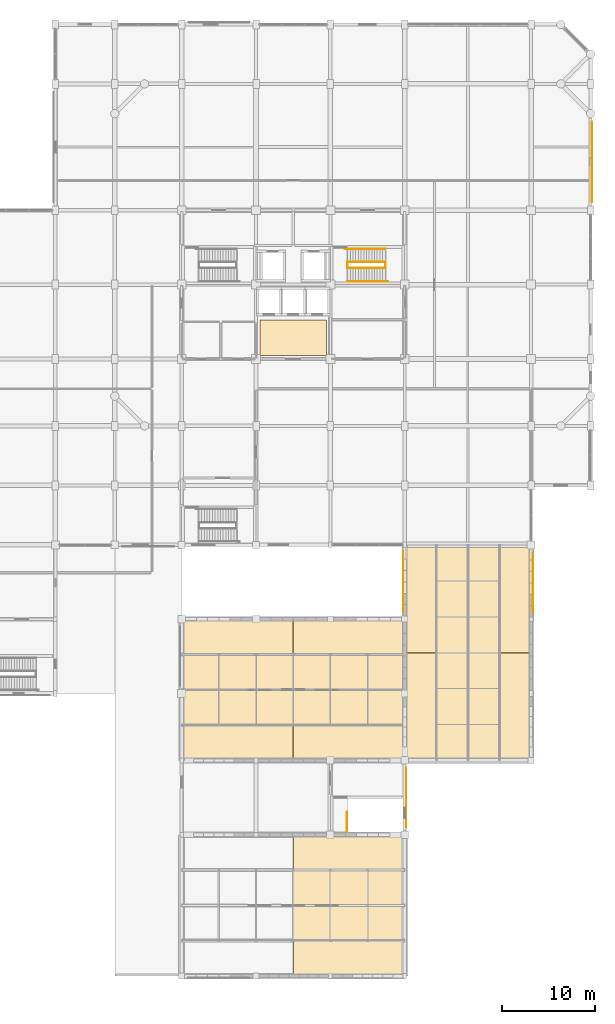
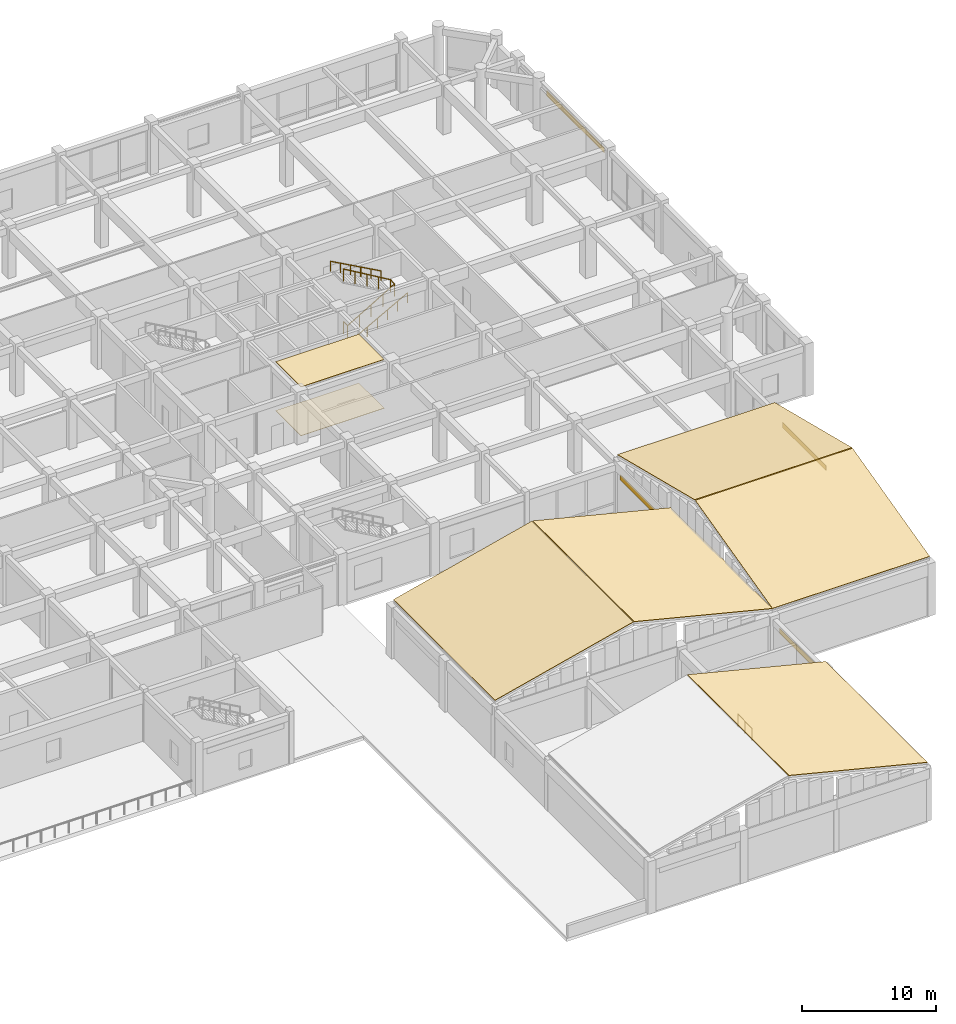
# One storey, part 61 of 61: 11 coverings, 5 railings.
"""IFC4 building model written with IfcOpenShell, lengths in metres."""

from ifc_helpers import new_model, si_unit, direction, frame, origin, origin_2d, place, context, subcontext, project, spatial, polyline, circle, outline, extrude, material, layer, layer_set, type_object, element, save


model = new_model("IFC4")

# Units and contexts
model_context = context("Model", 3, precision=1e-05, world=origin(), true_north=direction((0.0, 1.0)))
body_context = subcontext(model_context, "Body", "Model", "MODEL_VIEW")
ifc_project = project(units=[si_unit("LENGTHUNIT", "METRE"), si_unit("AREAUNIT", "SQUARE_METRE"), si_unit("VOLUMEUNIT", "CUBIC_METRE"), si_unit("PLANEANGLEUNIT", "RADIAN"), si_unit("MASSUNIT", "GRAM", prefix="KILO")], contexts=[model_context])

# Site, building, storey
site_placement = place(None, origin())
site = spatial("IfcSite", under=ifc_project, at=site_placement, CompositionType="ELEMENT")
building_placement = place(site_placement, origin())
building = spatial("IfcBuilding", under=site, at=building_placement, Name="Vellmiral Cinema and Media Centre", CompositionType="ELEMENT")
storey_placement = place(building_placement, frame((0.0, 0.0, 10.800048828125)))
storey = spatial("IfcBuildingStorey", under=building, at=storey_placement, Name="L02", CompositionType="ELEMENT", Elevation=10.800048828125)

# Coverings
ifc_material_1 = material(Name="Micro-Perforated Acoustic Gypsum Ceiling")
ifc_layer_1 = layer(ifc_material_1, 0.0400390625, Name="Micro-Perforated Acoustic Gypsum Ceiling")
ifc_layer_set_1 = layer_set([ifc_layer_1], Name="Micro-Perforated Acoustic Gypsum Ceiling")
covering_type_1 = type_object("IfcCoveringType", Name="COV-AC-CEILING", PredefinedType="CEILING", material=ifc_layer_set_1)
covering_1_placement = place(storey_placement, frame((0.0, 0.0, 4.4599609375)))
element("IfcCovering", 1, at=covering_1_placement, inside=storey, type_object=covering_type_1, Name="Acoustic Lobby Ceiling L02", PredefinedType="CEILING", context=body_context, shape_type="SweptSolid", body=[
    extrude(outline(polyline([(132.39990234375, 79.60009765625), (139.60009765625, 79.60009765625), (139.60009765625, 83.39990234375), (132.39990234375, 83.39990234375), (132.39990234375, 79.60009765625)])), origin(), (0.0, 0.0, 1.0), 0.0400390625),
])
ifc_material_2 = material(Name="Honed Terrazzo Acoustic Floor Finish")
ifc_layer_2 = layer(ifc_material_2, 0.030029296875, Name="Honed Terrazzo Acoustic Floor Finish")
ifc_layer_set_2 = layer_set([ifc_layer_2], Name="Honed Terrazzo Acoustic Floor Finish")
covering_type_2 = type_object("IfcCoveringType", Name="COV-TERR-FLOORING", PredefinedType="FLOORING", material=ifc_layer_set_2)
covering_2_placement = place(storey_placement, origin())
element("IfcCovering", 2, at=covering_2_placement, inside=storey, type_object=covering_type_2, Name="Terrazzo Lobby Flooring L02", PredefinedType="FLOORING", context=body_context, shape_type="SweptSolid", body=[
    extrude(outline(polyline([(132.39990234375, 79.60009765625), (139.60009765625, 79.60009765625), (139.60009765625, 83.39990234375), (132.39990234375, 83.39990234375), (132.39990234375, 79.60009765625)])), origin(), (0.0, 0.0, 1.0), 0.030029296875),
])
ifc_material_3 = material(Name="Polychrome Trencadis Ceramic Mosaic")
ifc_layer_3 = layer(ifc_material_3, 0.034912109375, Name="Polychrome Trencadis Ceramic Mosaic")
ifc_layer_set_3 = layer_set([ifc_layer_3], Name="Polychrome Trencadis Ceramic Mosaic")
covering_type_3 = type_object("IfcCoveringType", Name="COV-TRENCADIS-CLAD", PredefinedType="CLADDING", material=ifc_layer_set_3)
covering_3_placement = place(storey_placement, frame((0.0, 0.0, 3.3798828125)))
element("IfcCovering", 3, at=covering_3_placement, inside=storey, type_object=covering_type_3, Name="Trencadis Spandrel Mosaic L02-024", PredefinedType="CLADDING", context=body_context, shape_type="SweptSolid", body=[
    extrude(outline(polyline([(147.822021484375, 58.5), (147.822021484375, 51.925048828125), (147.85693359375, 51.925048828125), (147.85693359375, 58.5), (147.822021484375, 58.5)])), origin(), (0.0, 0.0, 1.0), 0.47998046875),
])
covering_4_placement = place(storey_placement, frame((0.0, 0.0, 3.375)))
element("IfcCovering", 4, at=covering_4_placement, inside=storey, type_object=covering_type_3, Name="Trencadis Spandrel Mosaic L02-036", PredefinedType="CLADDING", context=body_context, shape_type="SweptSolid", body=[
    extrude(outline(polyline([(148.177978515625, 28.800048828125), (148.177978515625, 35.199951171875), (148.14306640625, 35.199951171875), (148.14306640625, 28.800048828125), (148.177978515625, 28.800048828125)])), origin(), (0.0, 0.0, 1.0), 0.47998046875),
])
covering_5_placement = place(storey_placement, frame((0.0, 0.0, 3.3798828125)))
element("IfcCovering", 5, at=covering_5_placement, inside=storey, type_object=covering_type_3, Name="Trencadis Spandrel Mosaic L02-040", PredefinedType="CLADDING", context=body_context, shape_type="SweptSolid", body=[
    extrude(outline(polyline([(161.80810546875, 51.85009765625), (161.80810546875, 58.375), (161.77294921875, 58.375), (161.77294921875, 51.85009765625), (161.80810546875, 51.85009765625)])), origin(), (0.0, 0.0, 1.0), 0.47998046875),
])
covering_6_placement = place(storey_placement, frame((0.0, 0.0, 3.364990234375)))
element("IfcCovering", 6, at=covering_6_placement, inside=storey, type_object=covering_type_3, Name="Trencadis Spandrel Mosaic L02-048", PredefinedType="CLADDING", context=body_context, shape_type="SweptSolid", body=[
    extrude(outline(polyline([(168.177978515625, 96.074951171875), (168.177978515625, 104.75), (168.14306640625, 104.75), (168.14306640625, 96.074951171875), (168.177978515625, 96.074951171875)])), origin(), (0.0, 0.0, 1.0), 0.47998046875),
])
ifc_material_4 = material(Name="Glazed Catalan Ceramic Roof Tile")
ifc_layer_4 = layer(ifc_material_4, 0.044921875, Name="Glazed Catalan Ceramic Roof Tile")
ifc_layer_set_4 = layer_set([ifc_layer_4], Name="Glazed Catalan Ceramic Roof Tile")
covering_type_4 = type_object("IfcCoveringType", Name="COV-VAULT-ROOFING", PredefinedType="ROOFING", material=ifc_layer_set_4)
for number, where, z_axis, x_axis, name in (
    (7, (136.04150390625, 12.800048828125, 8.198974609375), (0.241929649535, 0.0, 0.97029379297), (0.97029379297, 0.0, -0.241929649535), "Cinema Screen 5 Catalan Ceramic Vault Roofing B"),
    (8, (124.0, 36.0, 5.21728515625), (-0.241929649535, 0.0, 0.97029379297), (0.97029379297, 0.0, 0.241929649535), "Cinema Screen 6 Catalan Ceramic Vault Roofing A"),
    (9, (136.04150390625, 36.0, 8.198974609375), (0.241929649535, 0.0, 0.97029379297), (0.97029379297, 0.0, -0.241929649535), "Cinema Screen 6 Catalan Ceramic Vault Roofing B"),
):
    element("IfcCovering", number, at=place(storey_placement, frame(where, z_axis=z_axis, x_axis=x_axis)), inside=storey, type_object=covering_type_4, Name=name, PredefinedType="ROOFING", context=body_context, shape_type="SweptSolid", body=[
        extrude(outline(polyline([(0.0, 0.0), (12.324613617436892, 0.0), (12.324613617436892, 15.199951171875), (0.0, 15.199951171875), (0.0, 0.0)])), origin(), (0.0, 0.0, -1.0), 0.044921875),
    ])
for number, where, z_axis, x_axis, name in (
    (10, (148.0, 36.0, 5.21728515625), (0.0, -0.241923137486, 0.970295416638), (1.0, 0.0, 0.0), "Cinema Screen 7 Catalan Ceramic Vault Roofing A"),
    (11, (148.0, 47.6416015625, 8.09912109375), (0.0, 0.241923137486, 0.970295416638), (1.0, 0.0, 0.0), "Cinema Screen 7 Catalan Ceramic Vault Roofing B"),
):
    element("IfcCovering", number, at=place(storey_placement, frame(where, z_axis=z_axis, x_axis=x_axis)), inside=storey, type_object=covering_type_4, Name=name, PredefinedType="ROOFING", context=body_context, shape_type="SweptSolid", body=[
        extrude(outline(polyline([(0.0, 0.0), (13.60009765625, 0.0), (13.60009765625, 11.912196441597398), (0.0, 11.912196441597398), (0.0, 0.0)])), origin(), (0.0, 0.0, -1.0), 0.044921875),
    ])

# Railings
ifc_material_5 = material(Name="Brushed Stainless Steel Handrail", Category="steel")
railing_type_1 = type_object("IfcRailingType", Name="RL-HANDRAIL-900", PredefinedType="HANDRAIL", material=ifc_material_5)
railing_1_placement = place(storey_placement, frame((141.85009765625, 87.56005859375, 0.159912109375)))
element("IfcRailing", 12, at=railing_1_placement, inside=storey, type_object=railing_type_1, Name="Stair Wall Handrail ST-T2 L02-1", PredefinedType="HANDRAIL", context=body_context, shape_type="SweptSolid", body=[
    extrude(circle(Radius=0.02392578125, at=origin_2d()), frame((0.0, 0.0, 0.8759765625), z_axis=(0.875558331245, 0.0, 0.483112418167), x_axis=(0.0, 1.0, 0.0)), (0.0, 0.0, 1.0), 4.968017578125),
    extrude(circle(Radius=0.02099609375, at=origin_2d()), origin(), (0.0, 0.0, 1.0), 0.851806640625),
    extrude(circle(Radius=0.02099609375, at=origin_2d()), frame((0.869873046875, 0.0, 0.47998046875)), (0.0, 0.0, 1.0), 0.851806640625),
    extrude(circle(Radius=0.02099609375, at=origin_2d()), frame((1.739990234375, 0.0, 0.9599609375)), (0.0, 0.0, 1.0), 0.851806640625),
    extrude(circle(Radius=0.02099609375, at=origin_2d()), frame((2.60986328125, 0.0, 1.440185546875)), (0.0, 0.0, 1.0), 0.851806640625),
    extrude(circle(Radius=0.02099609375, at=origin_2d()), frame((3.47998046875, 0.0, 1.920166015625)), (0.0, 0.0, 1.0), 0.851806640625),
    extrude(circle(Radius=0.02099609375, at=origin_2d()), frame((4.349853515625, 0.0, 2.400146484375)), (0.0, 0.0, 1.0), 0.851806640625),
])
railing_2_placement = place(storey_placement, frame((145.909912109375, 91.0400390625, 2.56005859375)))
element("IfcRailing", 13, at=railing_2_placement, inside=storey, type_object=railing_type_1, Name="Stair Wall Handrail ST-T2 L02-2", PredefinedType="HANDRAIL", context=body_context, shape_type="SweptSolid", body=[
    extrude(circle(Radius=0.02392578125, at=origin_2d()), frame((0.0, 0.0, 0.8759765625), z_axis=(-0.875579117544, 0.0, 0.483074744652), x_axis=(0.0, -1.0, 0.0)), (0.0, 0.0, 1.0), 4.968017578125),
    extrude(circle(Radius=0.02099609375, at=origin_2d()), origin(), (0.0, 0.0, 1.0), 0.851806640625),
    extrude(circle(Radius=0.02099609375, at=origin_2d()), frame((-0.869873046875, 0.0, 0.47998046875)), (0.0, 0.0, 1.0), 0.851806640625),
    extrude(circle(Radius=0.02099609375, at=origin_2d()), frame((-1.739990234375, 0.0, 0.9599609375)), (0.0, 0.0, 1.0), 0.851806640625),
    extrude(circle(Radius=0.02099609375, at=origin_2d()), frame((-2.60986328125, 0.0, 1.43994140625)), (0.0, 0.0, 1.0), 0.851806640625),
    extrude(circle(Radius=0.02099609375, at=origin_2d()), frame((-3.47998046875, 0.0, 1.919921875)), (0.0, 0.0, 1.0), 0.851806640625),
    extrude(circle(Radius=0.02099609375, at=origin_2d()), frame((-4.349853515625, 0.0, 2.39990234375)), (0.0, 0.0, 1.0), 0.851806640625),
])
ifc_material_6 = material(Name="Painted Steel Stair Guardrail", Category="steel")
railing_type_2 = type_object("IfcRailingType", Name="RL-STAIR-GUARD-1120", PredefinedType="GUARDRAIL", material=ifc_material_6)
railing_3_placement = place(storey_placement, frame((141.800048828125, 28.300048828125, 0.0)))
element("IfcRailing", 14, at=railing_3_placement, inside=storey, type_object=railing_type_2, Name="Top-Landing Stairwell Guard ST-P8 L02", PredefinedType="GUARDRAIL", context=body_context, shape_type="SweptSolid", body=[
    extrude(circle(Radius=0.02392578125, at=origin_2d()), frame((0.0, 0.0, 1.09619140625), z_axis=(0.0, 1.0, 0.0), x_axis=(-1.0, 0.0, 0.0)), (0.0, 0.0, 1.0), 2.139892578125),
    extrude(circle(Radius=0.02099609375, at=origin_2d()), origin(), (0.0, 0.0, 1.0), 1.072021484375),
    extrude(circle(Radius=0.02099609375, at=origin_2d()), frame((0.0, 1.06982421875, 0.0)), (0.0, 0.0, 1.0), 1.072021484375),
    extrude(circle(Radius=0.02099609375, at=origin_2d()), frame((0.0, 2.139892578125, 0.0)), (0.0, 0.0, 1.0), 1.072021484375),
])
railing_4_placement = place(storey_placement, frame((141.85009765625, 89.580078125, 0.0)))
element("IfcRailing", 15, at=railing_4_placement, inside=storey, type_object=railing_type_2, Name="Stair Well Guard ST-T2 L02-A", PredefinedType="GUARDRAIL", context=body_context, shape_type="SweptSolid", body=[
    extrude(circle(Radius=0.02392578125, at=origin_2d()), frame((0.0, 0.0, 1.09619140625), z_axis=(0.0, -1.0, 0.0), x_axis=(1.0, 0.0, 0.0)), (0.0, 0.0, 1.0), 0.60009765625),
    extrude(circle(Radius=0.02392578125, at=origin_2d()), frame((0.0, -0.60009765625, 1.09619140625), z_axis=(0.860840976868, 0.0, 0.508874063541), x_axis=(0.0, 1.0, 0.0)), (0.0, 0.0, 1.0), 4.716064453125),
    extrude(circle(Radius=0.02392578125, at=origin_2d()), frame((4.059814453125, -0.60009765625, 3.49609375), z_axis=(0.0, 1.0, 0.0), x_axis=(-1.0, 0.0, 0.0)), (0.0, 0.0, 1.0), 0.64013671875),
    extrude(circle(Radius=0.02099609375, at=origin_2d()), origin(), (0.0, 0.0, 1.0), 1.072021484375),
    extrude(circle(Radius=0.02099609375, at=origin_2d()), frame((0.0, -0.60009765625, 0.0)), (0.0, 0.0, 1.0), 1.072021484375),
    extrude(circle(Radius=0.02099609375, at=origin_2d()), frame((1.014892578125, -0.60009765625, 0.60009765625)), (0.0, 0.0, 1.0), 1.072021484375),
    extrude(circle(Radius=0.02099609375, at=origin_2d()), frame((2.02978515625, -0.60009765625, 1.199951171875)), (0.0, 0.0, 1.0), 1.072021484375),
    extrude(circle(Radius=0.02099609375, at=origin_2d()), frame((3.044921875, -0.60009765625, 1.7998046875)), (0.0, 0.0, 1.0), 1.072021484375),
    extrude(circle(Radius=0.02099609375, at=origin_2d()), frame((4.059814453125, -0.60009765625, 2.39990234375)), (0.0, 0.0, 1.0), 1.072021484375),
    extrude(circle(Radius=0.02099609375, at=origin_2d()), frame((4.059814453125, 0.0400390625, 2.39990234375)), (0.0, 0.0, 1.0), 1.072021484375),
])
railing_5_placement = place(storey_placement, frame((145.909912109375, 89.6201171875, 2.39990234375)))
element("IfcRailing", 16, at=railing_5_placement, inside=storey, type_object=railing_type_2, Name="Stair Well Guard ST-T2 L02-B", PredefinedType="GUARDRAIL", context=body_context, shape_type="SweptSolid", body=[
    extrude(circle(Radius=0.02392578125, at=origin_2d()), frame((0.0, 0.0, 1.09619140625), z_axis=(-0.860818299379, 0.0, 0.50891242415), x_axis=(0.0, -1.0, 0.0)), (0.0, 0.0, 1.0), 4.71630859375),
    extrude(circle(Radius=0.02099609375, at=origin_2d()), origin(), (0.0, 0.0, 1.0), 1.072021484375),
    extrude(circle(Radius=0.02099609375, at=origin_2d()), frame((-1.014892578125, 0.0, 0.60009765625)), (0.0, 0.0, 1.0), 1.072021484375),
    extrude(circle(Radius=0.02099609375, at=origin_2d()), frame((-2.02978515625, 0.0, 1.2001953125)), (0.0, 0.0, 1.0), 1.072021484375),
    extrude(circle(Radius=0.02099609375, at=origin_2d()), frame((-3.044921875, 0.0, 1.800048828125)), (0.0, 0.0, 1.0), 1.072021484375),
    extrude(circle(Radius=0.02099609375, at=origin_2d()), frame((-4.059814453125, 0.0, 2.400146484375)), (0.0, 0.0, 1.0), 1.072021484375),
])

save(model, "model.ifc")
